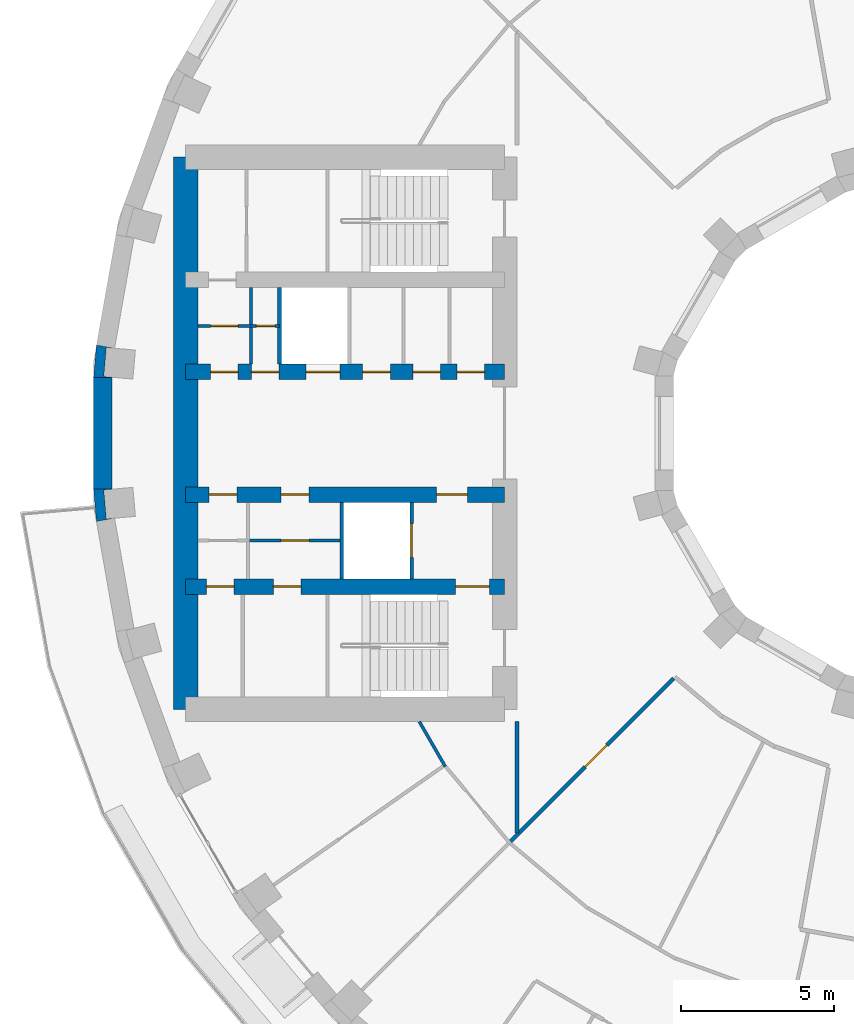
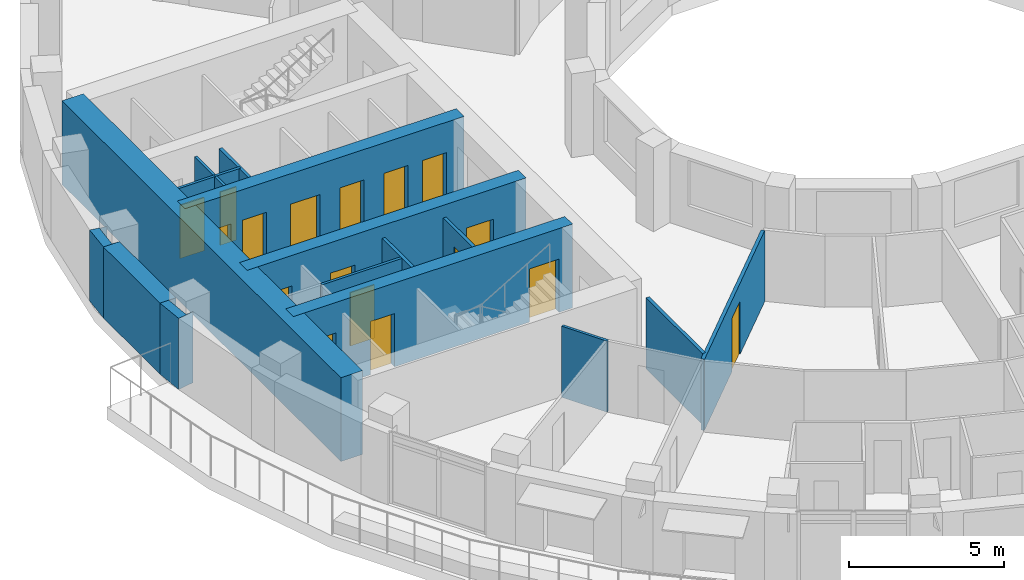
# One storey, part 6 of 16: 17 doors, 17 walls, 17 openings.
"""IFC4 building model written with IfcOpenShell, lengths in metres."""

from ifc_helpers import new_model, si_unit, direction, frame, frame_2d, origin, place, context, subcontext, project, spatial, polyline, rectangle, outline, extrude, material, layer, layer_set, type_object, element, fill, save


model = new_model("IFC4")

# Units and contexts
model_context = context("Model", 3, precision=1e-05, world=origin(), true_north=direction((0.0, 1.0)))
body_context = subcontext(model_context, "Body", "Model", "MODEL_VIEW")
ifc_project = project(units=[si_unit("LENGTHUNIT", "METRE"), si_unit("AREAUNIT", "SQUARE_METRE"), si_unit("VOLUMEUNIT", "CUBIC_METRE"), si_unit("PLANEANGLEUNIT", "RADIAN"), si_unit("MASSUNIT", "GRAM", prefix="KILO")], contexts=[model_context])

# Site, building, storey
site_placement = place(None, origin())
site = spatial("IfcSite", under=ifc_project, at=site_placement, CompositionType="ELEMENT")
building_placement = place(site_placement, origin())
building = spatial("IfcBuilding", under=site, at=building_placement, Name="Saqina Gate Tower", CompositionType="ELEMENT")
storey_placement = place(building_placement, frame((0.0, 0.0, 128.199951171875)))
storey = spatial("IfcBuildingStorey", under=building, at=storey_placement, Name="L36", CompositionType="ELEMENT", Elevation=128.199951171875)

# Walls
ifc_material_1 = material(Name="Brick masonry (buff)", Category="masonry")
wall_type_1 = type_object("IfcWallType", Name="BRICK PIER COPING BUFF", PredefinedType="SOLIDWALL", material=ifc_material_1)
wall_1_placement = place(storey_placement, origin())
element("IfcWall", 1, at=wall_1_placement, inside=storey, type_object=wall_type_1, Name="Pier cap L36 column 18", PredefinedType="SOLIDWALL", context=body_context, shape_type="SweptSolid", body=[
    extrude(outline(polyline([(-26.805419921875, 2.87451171875), (-26.897216796875, 1.823974609375), (-26.29736328125, 1.823974609375), (-26.565185546875, 1.847412109375), (-26.482421875, 2.793701171875), (-26.214599609375, 2.770263671875), (-26.805419921875, 2.87451171875)])), origin(), (0.0, 0.0, 1.0), 2.800048828125),
])
wall_2_placement = place(storey_placement, origin())
element("IfcWall", 2, at=wall_2_placement, inside=storey, type_object=wall_type_1, Name="Pier cap L36 column 19", PredefinedType="SOLIDWALL", context=body_context, shape_type="SweptSolid", body=[
    extrude(outline(polyline([(-26.805419921875, -2.87451171875), (-26.214599609375, -2.770263671875), (-26.482421875, -2.793701171875), (-26.565185546875, -1.847412109375), (-26.29736328125, -1.823974609375), (-26.897216796875, -1.823974609375), (-26.805419921875, -2.87451171875)])), origin(), (0.0, 0.0, 1.0), 2.800048828125),
])
ifc_material_2 = material(Name="Gypsum board on steel studs", Category="steel")
ifc_layer_1 = layer(ifc_material_2, 0.10009765625)
ifc_layer_set_1 = layer_set([ifc_layer_1], Name="CORE PARTITION")
wall_type_2 = type_object("IfcWallType", Name="CORE PARTITION", PredefinedType="PARTITIONING", material=ifc_layer_set_1)
wall_3_placement = place(storey_placement, frame((-21.77099609375, 2.25, 0.0), z_axis=(0.0, 0.0, 1.0), x_axis=(0.0, 1.0, 0.0)))
element("IfcWall", 3, at=wall_3_placement, inside=storey, type_object=wall_type_2, Name="L36-CP-W05", PredefinedType="PARTITIONING", context=body_context, shape_type="SweptSolid", body=[
    extrude(rectangle(XDim=2.5, YDim=0.10009765625, at=frame_2d((1.25, 0.0))), origin(), (0.0, 0.0, 1.0), 2.800048828125),
])

# Wall, opening, door
wall_4_placement = place(storey_placement, frame((-20.840087890625, 3.5, 0.0), z_axis=(0.0, 0.0, 1.0), x_axis=(-1.0, 0.0, 0.0)))
wall_4 = element("IfcWall", 4, at=wall_4_placement, inside=storey, type_object=wall_type_2, Name="L36-CP-W09", PredefinedType="PARTITIONING", context=body_context, shape_type="SweptSolid", body=[
    extrude(rectangle(XDim=0.930908203125, YDim=0.10009765625, at=frame_2d((0.46533203125, 0.0))), origin(), (0.0, 0.0, 1.0), 2.800048828125),
])
opening_1_placement = place(wall_4_placement, frame((0.14990234375, 0.0, 0.0)))
opening_1 = element("IfcOpeningElement", 5, at=opening_1_placement, cuts=wall_4, Name="Opening G10-D118", PredefinedType="OPENING", context=body_context, shape_type="SweptSolid", body=[
    extrude(rectangle(XDim=0.60009765625, YDim=2.10009765625, at=frame_2d((0.300048828125, 1.050048828125))), frame((0.0, 0.06201171875, 0.0), z_axis=(0.0, -1.0, 0.0), x_axis=(1.0, 0.0, 0.0)), (0.0, 0.0, 1.0), 0.1240234375),
])
ifc_material_3 = material(Name="Steel-framed fire door leaf, EI 60", Category="steel")
door_type_1 = type_object("IfcDoorType", Name="SERVICE ROOM DOOR 600", OperationType="SINGLE_SWING_LEFT", PredefinedType="DOOR", material=ifc_material_3)
door_1_placement = place(opening_1_placement, origin())
door_1 = element("IfcDoor", 6, at=door_1_placement, inside=storey, type_object=door_type_1, Name="L36-CD-W29", OperationType="SINGLE_SWING_LEFT", OverallHeight=2.10009765625, OverallWidth=0.60009765625, PredefinedType="DOOR", context=body_context, shape_type="SweptSolid", body=[
    extrude(rectangle(XDim=0.60009765625, YDim=2.10009765625, at=frame_2d((0.300048828125, 1.050048828125))), frame((0.0, 0.02490234375, 0.0), z_axis=(0.0, -1.0, 0.0), x_axis=(1.0, 0.0, 0.0)), (0.0, 0.0, 1.0), 0.050048828125),
])
fill(opening_1, door_1)

wall_5_placement = place(storey_placement, frame((-21.77099609375, 3.5, 0.0), z_axis=(0.0, 0.0, 1.0), x_axis=(-1.0, 0.0, 0.0)))
wall_5 = element("IfcWall", 7, at=wall_5_placement, inside=storey, type_object=wall_type_2, Name="L36-CP-W10", PredefinedType="PARTITIONING", context=body_context, shape_type="SweptSolid", body=[
    extrude(rectangle(XDim=1.72900390625, YDim=0.10009765625, at=frame_2d((0.864501953125, 0.0))), origin(), (0.0, 0.0, 1.0), 2.800048828125),
])
opening_2_placement = place(wall_5_placement, frame((0.41455078125, 0.0, 0.0)))
opening_2 = element("IfcOpeningElement", 8, at=opening_2_placement, cuts=wall_5, Name="Opening G10-D119", PredefinedType="OPENING", context=body_context, shape_type="SweptSolid", body=[
    extrude(rectangle(XDim=0.89990234375, YDim=2.10009765625, at=frame_2d((0.449951171875, 1.050048828125))), frame((0.0, 0.06201171875, 0.0), z_axis=(0.0, -1.0, 0.0), x_axis=(1.0, 0.0, 0.0)), (0.0, 0.0, 1.0), 0.1240234375),
])
ifc_material_4 = material(Name="Steel-framed fire door leaf, EI 60", Category="steel")
door_type_2 = type_object("IfcDoorType", Name="SERVICE ROOM DOOR 900", OperationType="SINGLE_SWING_LEFT", PredefinedType="DOOR", material=ifc_material_4)
door_2_placement = place(opening_2_placement, frame((0.89990234375, 0.0, 0.0), z_axis=(0.0, 0.0, 1.0), x_axis=(-1.0, 0.0, 0.0)))
door_2 = element("IfcDoor", 9, at=door_2_placement, inside=storey, type_object=door_type_2, Name="L36-CD-W30", OperationType="SINGLE_SWING_LEFT", OverallHeight=2.10009765625, OverallWidth=0.89990234375, PredefinedType="DOOR", context=body_context, shape_type="SweptSolid", body=[
    extrude(rectangle(XDim=0.89990234375, YDim=2.10009765625, at=frame_2d((0.449951171875, 1.050048828125))), frame((0.0, 0.02490234375, 0.0), z_axis=(0.0, -1.0, 0.0), x_axis=(1.0, 0.0, 0.0)), (0.0, 0.0, 1.0), 0.050048828125),
])
fill(opening_2, door_2)

wall_6_placement = place(storey_placement, frame((-18.81005859375, -3.5, 0.0), z_axis=(0.0, 0.0, 1.0), x_axis=(-1.0, 0.0, 0.0)))
wall_6 = element("IfcWall", 10, at=wall_6_placement, inside=storey, type_object=wall_type_2, Name="L36-CP-W11", PredefinedType="PARTITIONING", context=body_context, shape_type="SweptSolid", body=[
    extrude(rectangle(XDim=3.04833984375, YDim=0.10009765625, at=frame_2d((1.524169921875, 0.0))), origin(), (0.0, 0.0, 1.0), 2.800048828125),
])
opening_3_placement = place(wall_6_placement, frame((1.07421875, 0.0, 0.0)))
opening_3 = element("IfcOpeningElement", 11, at=opening_3_placement, cuts=wall_6, Name="Opening G10-D123", PredefinedType="OPENING", context=body_context, shape_type="SweptSolid", body=[
    extrude(rectangle(XDim=0.89990234375, YDim=2.10009765625, at=frame_2d((0.449951171875, 1.050048828125))), frame((0.0, 0.06201171875, 0.0), z_axis=(0.0, -1.0, 0.0), x_axis=(1.0, 0.0, 0.0)), (0.0, 0.0, 1.0), 0.1240234375),
])
door_3_placement = place(opening_3_placement, origin())
door_3 = element("IfcDoor", 12, at=door_3_placement, inside=storey, type_object=door_type_2, Name="L36-CD-W34", OperationType="SINGLE_SWING_LEFT", OverallHeight=2.10009765625, OverallWidth=0.89990234375, PredefinedType="DOOR", context=body_context, shape_type="SweptSolid", body=[
    extrude(rectangle(XDim=0.89990234375, YDim=2.10009765625, at=frame_2d((0.449951171875, 1.050048828125))), frame((0.0, 0.02490234375, 0.0), z_axis=(0.0, -1.0, 0.0), x_axis=(1.0, 0.0, 0.0)), (0.0, 0.0, 1.0), 0.050048828125),
])
fill(opening_3, door_3)

# Walls
ifc_material_5 = material(Name="Glazed ceramic tile (dark blue)", Category="ceramic")
ifc_layer_2 = layer(ifc_material_5, 0.60009765625)
ifc_layer_set_2 = layer_set([ifc_layer_2], Name="FW-TILE-CB")
wall_type_3 = type_object("IfcWallType", Name="FW-TILE-CB", PredefinedType="SOLIDWALL", material=ifc_layer_set_2)
wall_7_placement = place(storey_placement, frame((-26.59716796875, 1.823974609375, 0.0), z_axis=(0.0, 0.0, 1.0), x_axis=(0.0, -1.0, 0.0)))
element("IfcWall", 13, at=wall_7_placement, inside=storey, type_object=wall_type_3, Name="Facade wall L36 facet 18", PredefinedType="SOLIDWALL", context=body_context, shape_type="SweptSolid", body=[
    extrude(rectangle(XDim=3.64794921875, YDim=0.60009765625, at=frame_2d((1.823974609375, 0.0))), origin(), (0.0, 0.0, 1.0), 2.800048828125),
])
ifc_material_6 = material(Name="Gypsum board on steel studs, 100 mm", Category="steel")
ifc_layer_3 = layer(ifc_material_6, 0.10009765625)
ifc_layer_set_3 = layer_set([ifc_layer_3], Name="PARTITION 100")
wall_type_4 = type_object("IfcWallType", Name="PARTITION 100", PredefinedType="PARTITIONING", material=ifc_layer_set_3)
wall_8_placement = place(storey_placement, frame((-16.281005859375, -9.39794921875, 0.0), z_axis=(0.0, 0.0, 1.0), x_axis=(0.499867730161, -0.866101756345, 0.0)))
element("IfcWall", 14, at=wall_8_placement, inside=storey, type_object=wall_type_4, Name="PARTITION PW3-14", PredefinedType="PARTITIONING", context=body_context, shape_type="SweptSolid", body=[
    extrude(rectangle(XDim=1.697265625, YDim=0.10009765625, at=frame_2d((0.8486328125, 0.0))), origin(), (0.0, 0.0, 1.0), 2.800048828125),
])

# Wall, opening, door
ifc_material_7 = material(Name="Gypsum board on steel studs, 125 mm, fire rated", Category="steel")
ifc_layer_4 = layer(ifc_material_7, 0.125)
ifc_layer_set_4 = layer_set([ifc_layer_4], Name="PARTITION EI 30 125")
wall_type_5 = type_object("IfcWallType", Name="PARTITION EI 30 125", PredefinedType="PARTITIONING", material=ifc_layer_set_4)
wall_9_placement = place(storey_placement, frame((-13.30859375, -13.30859375, 0.0), z_axis=(0.0, 0.0, 1.0), x_axis=(0.707106781187, 0.707106781187, 0.0)))
wall_9 = element("IfcWall", 15, at=wall_9_placement, inside=storey, type_object=wall_type_5, Name="PARTITION PW1-47", PredefinedType="PARTITIONING", context=body_context, shape_type="SweptSolid", body=[
    extrude(rectangle(XDim=7.515869140625, YDim=0.125, at=frame_2d((3.7578125, 0.0))), origin(), (0.0, 0.0, 1.0), 2.800048828125),
])
opening_4_placement = place(wall_9_placement, frame((3.44140625, 0.0, 0.0)))
opening_4 = element("IfcOpeningElement", 16, at=opening_4_placement, cuts=wall_9, Name="Opening G10-D31", PredefinedType="OPENING", context=body_context, shape_type="SweptSolid", body=[
    extrude(rectangle(XDim=1.0, YDim=2.10009765625, at=frame_2d((0.5, 1.050048828125))), frame((0.0, 0.074462890625, 0.0), z_axis=(0.0, -1.0, 0.0), x_axis=(1.0, 0.0, 0.0)), (0.0, 0.0, 1.0), 0.14892578125),
])
ifc_material_8 = material(Name="Fire door leaf EI 30, 1000 mm")
door_type_3 = type_object("IfcDoorType", Name="DOOR 1000 EI 30", OperationType="SINGLE_SWING_LEFT", PredefinedType="DOOR", material=ifc_material_8)
door_4_placement = place(opening_4_placement, frame((1.0, 0.0, 0.0), z_axis=(0.0, 0.0, 1.0), x_axis=(-1.0, 0.0, 0.0)))
door_4 = element("IfcDoor", 17, at=door_4_placement, inside=storey, type_object=door_type_3, Name="DOOR G10-D31", OperationType="SINGLE_SWING_LEFT", OverallHeight=2.10009765625, OverallWidth=1.0, PredefinedType="DOOR", context=body_context, shape_type="SweptSolid", body=[
    extrude(rectangle(XDim=1.0, YDim=2.10009765625, at=frame_2d((0.5, 1.050048828125))), frame((0.0, 0.02490234375, 0.0), z_axis=(0.0, -1.0, 0.0), x_axis=(1.0, 0.0, 0.0)), (0.0, 0.0, 1.0), 0.050048828125),
])
fill(opening_4, door_4)

# Walls
wall_10_placement = place(storey_placement, frame((-13.10009765625, -13.03759765625, 0.0), z_axis=(0.0, 0.0, 1.0), x_axis=(0.0, 1.0, 0.0)))
element("IfcWall", 18, at=wall_10_placement, inside=storey, type_object=wall_type_5, Name="PARTITION PW1-60", PredefinedType="PARTITIONING", context=body_context, shape_type="SweptSolid", body=[
    extrude(rectangle(XDim=3.6376953125, YDim=0.125, at=frame_2d((1.81884765625, 0.0))), origin(), (0.0, 0.0, 1.0), 2.800048828125),
])
ifc_material_9 = material(Name="Autoclaved aerated concrete block", Category="concrete")
ifc_layer_5 = layer(ifc_material_9, 0.1201171875)
ifc_layer_set_5 = layer_set([ifc_layer_5], Name="SHAFT PARTITION")
wall_type_6 = type_object("IfcWallType", Name="SHAFT PARTITION", PredefinedType="PARTITIONING", material=ifc_layer_set_5)
wall_11_placement = place(storey_placement, frame((-20.840087890625, 2.25, 0.0), z_axis=(0.0, 0.0, 1.0), x_axis=(0.0, 1.0, 0.0)))
element("IfcWall", 19, at=wall_11_placement, inside=storey, type_object=wall_type_6, Name="L36-CP-W04", PredefinedType="PARTITIONING", context=body_context, shape_type="SweptSolid", body=[
    extrude(rectangle(XDim=2.5, YDim=0.1201171875, at=frame_2d((1.25, 0.0))), origin(), (0.0, 0.0, 1.0), 2.800048828125),
])

# Wall, opening, door
wall_12_placement = place(storey_placement, frame((-16.530029296875, -4.75, 0.0), z_axis=(0.0, 0.0, 1.0), x_axis=(0.0, 1.0, 0.0)))
wall_12 = element("IfcWall", 20, at=wall_12_placement, inside=storey, type_object=wall_type_6, Name="L36-CP-W06", PredefinedType="PARTITIONING", context=body_context, shape_type="SweptSolid", body=[
    extrude(rectangle(XDim=2.5, YDim=0.1201171875, at=frame_2d((1.25, 0.0))), origin(), (0.0, 0.0, 1.0), 2.800048828125),
])
opening_5_placement = place(wall_12_placement, frame((0.699951171875, 0.0, 0.0)))
opening_5 = element("IfcOpeningElement", 21, at=opening_5_placement, cuts=wall_12, Name="Opening G10-LD4", PredefinedType="OPENING", context=body_context, shape_type="SweptSolid", body=[
    extrude(rectangle(XDim=1.10009765625, YDim=2.10009765625, at=frame_2d((0.550048828125, 1.050048828125))), frame((0.0, 0.072021484375, 0.0), z_axis=(0.0, -1.0, 0.0), x_axis=(1.0, 0.0, 0.0)), (0.0, 0.0, 1.0), 0.14404296875),
])
ifc_material_10 = material(Name="Stainless steel", Category="steel")
door_type_4 = type_object("IfcDoorType", Name="LANDING DOOR", OperationType="DOUBLE_DOOR_SLIDING", PredefinedType="DOOR", material=ifc_material_10)
door_5_placement = place(opening_5_placement, origin())
door_5 = element("IfcDoor", 22, at=door_5_placement, inside=storey, type_object=door_type_4, Name="LANDING DOOR FF2", OperationType="DOUBLE_DOOR_SLIDING", OverallHeight=2.10009765625, OverallWidth=1.10009765625, PredefinedType="DOOR", context=body_context, shape_type="SweptSolid", body=[
    extrude(rectangle(XDim=1.10009765625, YDim=2.10009765625, at=frame_2d((0.550048828125, 1.050048828125))), frame((0.0, 0.02490234375, 0.0), z_axis=(0.0, -1.0, 0.0), x_axis=(1.0, 0.0, 0.0)), (0.0, 0.0, 1.0), 0.050048828125),
])
fill(opening_5, door_5)

# Wall
wall_13_placement = place(storey_placement, frame((-18.81005859375, -4.75, 0.0), z_axis=(0.0, 0.0, 1.0), x_axis=(0.0, 1.0, 0.0)))
element("IfcWall", 23, at=wall_13_placement, inside=storey, type_object=wall_type_6, Name="L36-CP-W07", PredefinedType="PARTITIONING", context=body_context, shape_type="SweptSolid", body=[
    extrude(rectangle(XDim=2.5, YDim=0.1201171875, at=frame_2d((1.25, 0.0))), origin(), (0.0, 0.0, 1.0), 2.800048828125),
])

# Wall, openings, doors
ifc_material_11 = material(Name="Concrete C70/85", Category="concrete")
ifc_layer_6 = layer(ifc_material_11, 0.5)
ifc_layer_set_6 = layer_set([ifc_layer_6], Name="Concrete C70/85")
wall_type_7 = type_object("IfcWallType", Name="STR-CORE WALL-B-I", PredefinedType="SHEAR", material=ifc_layer_set_6)
wall_14_placement = place(storey_placement, frame((-13.5, -5.0, 0.0), z_axis=(0.0, 0.0, 1.0), x_axis=(-1.0, 0.0, 0.0)))
wall_14 = element("IfcWall", 24, at=wall_14_placement, inside=storey, type_object=wall_type_7, Name="CORE WALL L36 W-X2", PredefinedType="SHEAR", context=body_context, shape_type="SweptSolid", body=[
    extrude(rectangle(XDim=10.39990234375, YDim=0.5, at=frame_2d((5.199951171875, 0.0))), origin(), (0.0, 0.0, 1.0), 3.300048828125),
])
opening_6_placement = place(wall_14_placement, frame((6.63916015625, 0.0, 0.0)))
opening_6 = element("IfcOpeningElement", 25, at=opening_6_placement, cuts=wall_14, Name="Opening G10-D124", PredefinedType="OPENING", context=body_context, shape_type="SweptSolid", body=[
    extrude(rectangle(XDim=0.89990234375, YDim=2.10009765625, at=frame_2d((0.449951171875, 1.050048828125))), frame((0.0, 0.261962890625, 0.0), z_axis=(0.0, -1.0, 0.0), x_axis=(1.0, 0.0, 0.0)), (0.0, 0.0, 1.0), 0.52392578125),
])
opening_7_placement = place(wall_14_placement, frame((8.818603515625, 0.0, 0.0)))
opening_7 = element("IfcOpeningElement", 26, at=opening_7_placement, cuts=wall_14, Name="Opening G10-D125", PredefinedType="OPENING", context=body_context, shape_type="SweptSolid", body=[
    extrude(rectangle(XDim=0.89990234375, YDim=2.10009765625, at=frame_2d((0.449951171875, 1.050048828125))), frame((0.0, 0.261962890625, 0.0), z_axis=(0.0, -1.0, 0.0), x_axis=(1.0, 0.0, 0.0)), (0.0, 0.0, 1.0), 0.52392578125),
])
opening_8_placement = place(wall_14_placement, frame((0.5, 0.0, 0.0)))
opening_8 = element("IfcOpeningElement", 27, at=opening_8_placement, cuts=wall_14, Name="Opening G10-D126", PredefinedType="OPENING", context=body_context, shape_type="SweptSolid", body=[
    extrude(rectangle(XDim=1.10009765625, YDim=2.10009765625, at=frame_2d((0.550048828125, 1.050048828125))), frame((0.0, 0.261962890625, 0.0), z_axis=(0.0, -1.0, 0.0), x_axis=(1.0, 0.0, 0.0)), (0.0, 0.0, 1.0), 0.52392578125),
])
ifc_material_12 = material(Name="Steel", Category="steel")
door_type_5 = type_object("IfcDoorType", Name="FIRE LOBBY DOOR EI 60 WIDE", OperationType="SINGLE_SWING_LEFT", PredefinedType="DOOR", material=ifc_material_12)
door_6_placement = place(opening_8_placement, origin())
door_6 = element("IfcDoor", 28, at=door_6_placement, inside=storey, type_object=door_type_5, Name="L36-CD-W37", OperationType="SINGLE_SWING_LEFT", OverallHeight=2.10009765625, OverallWidth=1.10009765625, PredefinedType="DOOR", context=body_context, shape_type="SweptSolid", body=[
    extrude(rectangle(XDim=1.10009765625, YDim=2.10009765625, at=frame_2d((0.550048828125, 1.050048828125))), frame((0.0, 0.02490234375, 0.0), z_axis=(0.0, -1.0, 0.0), x_axis=(1.0, 0.0, 0.0)), (0.0, 0.0, 1.0), 0.050048828125),
])
fill(opening_8, door_6)
door_7_placement = place(opening_6_placement, origin())
door_7 = element("IfcDoor", 29, at=door_7_placement, inside=storey, type_object=door_type_2, Name="L36-CD-W35", OperationType="SINGLE_SWING_RIGHT", OverallHeight=2.10009765625, OverallWidth=0.89990234375, PredefinedType="DOOR", context=body_context, shape_type="SweptSolid", body=[
    extrude(rectangle(XDim=0.89990234375, YDim=2.10009765625, at=frame_2d((0.449951171875, 1.050048828125))), frame((0.0, 0.02490234375, 0.0), z_axis=(0.0, -1.0, 0.0), x_axis=(1.0, 0.0, 0.0)), (0.0, 0.0, 1.0), 0.050048828125),
])
fill(opening_6, door_7)
door_8_placement = place(opening_7_placement, origin())
door_8 = element("IfcDoor", 30, at=door_8_placement, inside=storey, type_object=door_type_2, Name="L36-CD-W36", OperationType="SINGLE_SWING_RIGHT", OverallHeight=2.10009765625, OverallWidth=0.89990234375, PredefinedType="DOOR", context=body_context, shape_type="SweptSolid", body=[
    extrude(rectangle(XDim=0.89990234375, YDim=2.10009765625, at=frame_2d((0.449951171875, 1.050048828125))), frame((0.0, 0.02490234375, 0.0), z_axis=(0.0, -1.0, 0.0), x_axis=(1.0, 0.0, 0.0)), (0.0, 0.0, 1.0), 0.050048828125),
])
fill(opening_7, door_8)

wall_15_placement = place(storey_placement, frame((-13.5, 2.0, 0.0), z_axis=(0.0, 0.0, 1.0), x_axis=(-1.0, 0.0, 0.0)))
wall_15 = element("IfcWall", 31, at=wall_15_placement, inside=storey, type_object=wall_type_7, Name="CORE WALL L36 W-L1", PredefinedType="SHEAR", context=body_context, shape_type="SweptSolid", body=[
    extrude(rectangle(XDim=10.39990234375, YDim=0.5, at=frame_2d((5.199951171875, 0.0))), origin(), (0.0, 0.0, 1.0), 3.300048828125),
])
opening_9_placement = place(wall_15_placement, frame((5.3701171875, 0.0, 0.0)))
opening_9 = element("IfcOpeningElement", 32, at=opening_9_placement, cuts=wall_15, Name="Opening G10-LD3", PredefinedType="OPENING", context=body_context, shape_type="SweptSolid", body=[
    extrude(rectangle(XDim=1.10009765625, YDim=2.10009765625, at=frame_2d((0.550048828125, 1.050048828125))), frame((0.0, 0.261962890625, 0.0), z_axis=(0.0, -1.0, 0.0), x_axis=(1.0, 0.0, 0.0)), (0.0, 0.0, 1.0), 0.52392578125),
])
opening_10_placement = place(wall_15_placement, frame((0.64892578125, 0.0, 0.0)))
opening_10 = element("IfcOpeningElement", 33, at=opening_10_placement, cuts=wall_15, Name="Opening G10-D110", PredefinedType="OPENING", context=body_context, shape_type="SweptSolid", body=[
    extrude(rectangle(XDim=0.89990234375, YDim=2.10009765625, at=frame_2d((0.449951171875, 1.050048828125))), frame((0.0, 0.261962890625, 0.0), z_axis=(0.0, -1.0, 0.0), x_axis=(1.0, 0.0, 0.0)), (0.0, 0.0, 1.0), 0.52392578125),
])
opening_11_placement = place(wall_15_placement, frame((2.093505859375, 0.0, 0.0)))
opening_11 = element("IfcOpeningElement", 34, at=opening_11_placement, cuts=wall_15, Name="Opening G10-D111", PredefinedType="OPENING", context=body_context, shape_type="SweptSolid", body=[
    extrude(rectangle(XDim=0.89990234375, YDim=2.10009765625, at=frame_2d((0.449951171875, 1.050048828125))), frame((0.0, 0.261962890625, 0.0), z_axis=(0.0, -1.0, 0.0), x_axis=(1.0, 0.0, 0.0)), (0.0, 0.0, 1.0), 0.52392578125),
])
opening_12_placement = place(wall_15_placement, frame((3.724609375, 0.0, 0.0)))
opening_12 = element("IfcOpeningElement", 35, at=opening_12_placement, cuts=wall_15, Name="Opening G10-D112", PredefinedType="OPENING", context=body_context, shape_type="SweptSolid", body=[
    extrude(rectangle(XDim=0.89990234375, YDim=2.10009765625, at=frame_2d((0.449951171875, 1.050048828125))), frame((0.0, 0.261962890625, 0.0), z_axis=(0.0, -1.0, 0.0), x_axis=(1.0, 0.0, 0.0)), (0.0, 0.0, 1.0), 0.52392578125),
])
opening_13_placement = place(wall_15_placement, frame((7.35546875, 0.0, 0.0)))
opening_13 = element("IfcOpeningElement", 36, at=opening_13_placement, cuts=wall_15, Name="Opening G10-D113", PredefinedType="OPENING", context=body_context, shape_type="SweptSolid", body=[
    extrude(rectangle(XDim=0.89990234375, YDim=2.10009765625, at=frame_2d((0.449951171875, 1.050048828125))), frame((0.0, 0.261962890625, 0.0), z_axis=(0.0, -1.0, 0.0), x_axis=(1.0, 0.0, 0.0)), (0.0, 0.0, 1.0), 0.52392578125),
])
opening_14_placement = place(wall_15_placement, frame((8.685546875, 0.0, 0.0)))
opening_14 = element("IfcOpeningElement", 37, at=opening_14_placement, cuts=wall_15, Name="Opening G10-D114", PredefinedType="OPENING", context=body_context, shape_type="SweptSolid", body=[
    extrude(rectangle(XDim=0.89990234375, YDim=2.10009765625, at=frame_2d((0.449951171875, 1.050048828125))), frame((0.0, 0.261962890625, 0.0), z_axis=(0.0, -1.0, 0.0), x_axis=(1.0, 0.0, 0.0)), (0.0, 0.0, 1.0), 0.52392578125),
])
door_9_placement = place(opening_9_placement, origin())
door_9 = element("IfcDoor", 38, at=door_9_placement, inside=storey, type_object=door_type_4, Name="LANDING DOOR MR2", OperationType="DOUBLE_DOOR_SLIDING", OverallHeight=2.10009765625, OverallWidth=1.10009765625, PredefinedType="DOOR", context=body_context, shape_type="SweptSolid", body=[
    extrude(rectangle(XDim=1.10009765625, YDim=2.10009765625, at=frame_2d((0.550048828125, 1.050048828125))), frame((0.0, 0.02490234375, 0.0), z_axis=(0.0, -1.0, 0.0), x_axis=(1.0, 0.0, 0.0)), (0.0, 0.0, 1.0), 0.050048828125),
])
fill(opening_9, door_9)
door_10_placement = place(opening_10_placement, frame((0.89990234375, 0.0, 0.0), z_axis=(0.0, 0.0, 1.0), x_axis=(-1.0, 0.0, 0.0)))
door_10 = element("IfcDoor", 39, at=door_10_placement, inside=storey, type_object=door_type_2, Name="L36-CD-W21", OperationType="SINGLE_SWING_RIGHT", OverallHeight=2.10009765625, OverallWidth=0.89990234375, PredefinedType="DOOR", context=body_context, shape_type="SweptSolid", body=[
    extrude(rectangle(XDim=0.89990234375, YDim=2.10009765625, at=frame_2d((0.449951171875, 1.050048828125))), frame((0.0, 0.02490234375, 0.0), z_axis=(0.0, -1.0, 0.0), x_axis=(1.0, 0.0, 0.0)), (0.0, 0.0, 1.0), 0.050048828125),
])
fill(opening_10, door_10)
door_11_placement = place(opening_11_placement, frame((0.89990234375, 0.0, 0.0), z_axis=(0.0, 0.0, 1.0), x_axis=(-1.0, 0.0, 0.0)))
door_11 = element("IfcDoor", 40, at=door_11_placement, inside=storey, type_object=door_type_2, Name="L36-CD-W22", OperationType="SINGLE_SWING_RIGHT", OverallHeight=2.10009765625, OverallWidth=0.89990234375, PredefinedType="DOOR", context=body_context, shape_type="SweptSolid", body=[
    extrude(rectangle(XDim=0.89990234375, YDim=2.10009765625, at=frame_2d((0.449951171875, 1.050048828125))), frame((0.0, 0.02490234375, 0.0), z_axis=(0.0, -1.0, 0.0), x_axis=(1.0, 0.0, 0.0)), (0.0, 0.0, 1.0), 0.050048828125),
])
fill(opening_11, door_11)
door_12_placement = place(opening_12_placement, frame((0.89990234375, 0.0, 0.0), z_axis=(0.0, 0.0, 1.0), x_axis=(-1.0, 0.0, 0.0)))
door_12 = element("IfcDoor", 41, at=door_12_placement, inside=storey, type_object=door_type_2, Name="L36-CD-W23", OperationType="SINGLE_SWING_LEFT", OverallHeight=2.10009765625, OverallWidth=0.89990234375, PredefinedType="DOOR", context=body_context, shape_type="SweptSolid", body=[
    extrude(rectangle(XDim=0.89990234375, YDim=2.10009765625, at=frame_2d((0.449951171875, 1.050048828125))), frame((0.0, 0.02490234375, 0.0), z_axis=(0.0, -1.0, 0.0), x_axis=(1.0, 0.0, 0.0)), (0.0, 0.0, 1.0), 0.050048828125),
])
fill(opening_12, door_12)
door_13_placement = place(opening_13_placement, frame((0.89990234375, 0.0, 0.0), z_axis=(0.0, 0.0, 1.0), x_axis=(-1.0, 0.0, 0.0)))
door_13 = element("IfcDoor", 42, at=door_13_placement, inside=storey, type_object=door_type_2, Name="L36-CD-W24", OperationType="SINGLE_SWING_RIGHT", OverallHeight=2.10009765625, OverallWidth=0.89990234375, PredefinedType="DOOR", context=body_context, shape_type="SweptSolid", body=[
    extrude(rectangle(XDim=0.89990234375, YDim=2.10009765625, at=frame_2d((0.449951171875, 1.050048828125))), frame((0.0, 0.02490234375, 0.0), z_axis=(0.0, -1.0, 0.0), x_axis=(1.0, 0.0, 0.0)), (0.0, 0.0, 1.0), 0.050048828125),
])
fill(opening_13, door_13)
door_14_placement = place(opening_14_placement, frame((0.89990234375, 0.0, 0.0), z_axis=(0.0, 0.0, 1.0), x_axis=(-1.0, 0.0, 0.0)))
door_14 = element("IfcDoor", 43, at=door_14_placement, inside=storey, type_object=door_type_2, Name="L36-CD-W25", OperationType="SINGLE_SWING_LEFT", OverallHeight=2.10009765625, OverallWidth=0.89990234375, PredefinedType="DOOR", context=body_context, shape_type="SweptSolid", body=[
    extrude(rectangle(XDim=0.89990234375, YDim=2.10009765625, at=frame_2d((0.449951171875, 1.050048828125))), frame((0.0, 0.02490234375, 0.0), z_axis=(0.0, -1.0, 0.0), x_axis=(1.0, 0.0, 0.0)), (0.0, 0.0, 1.0), 0.050048828125),
])
fill(opening_14, door_14)

wall_16_placement = place(storey_placement, frame((-13.5, -2.0, 0.0), z_axis=(0.0, 0.0, 1.0), x_axis=(-1.0, 0.0, 0.0)))
wall_16 = element("IfcWall", 44, at=wall_16_placement, inside=storey, type_object=wall_type_7, Name="CORE WALL L36 W-L2", PredefinedType="SHEAR", context=body_context, shape_type="SweptSolid", body=[
    extrude(rectangle(XDim=10.39990234375, YDim=0.5, at=frame_2d((5.199951171875, 0.0))), origin(), (0.0, 0.0, 1.0), 3.300048828125),
])
opening_15_placement = place(wall_16_placement, frame((1.215087890625, 0.0, 0.0)))
opening_15 = element("IfcOpeningElement", 45, at=opening_15_placement, cuts=wall_16, Name="Opening G10-D115", PredefinedType="OPENING", context=body_context, shape_type="SweptSolid", body=[
    extrude(rectangle(XDim=1.0, YDim=2.10009765625, at=frame_2d((0.5, 1.050048828125))), frame((0.0, 0.261962890625, 0.0), z_axis=(0.0, -1.0, 0.0), x_axis=(1.0, 0.0, 0.0)), (0.0, 0.0, 1.0), 0.52392578125),
])
opening_16_placement = place(wall_16_placement, frame((6.38427734375, 0.0, 0.0)))
opening_16 = element("IfcOpeningElement", 46, at=opening_16_placement, cuts=wall_16, Name="Opening G10-D116", PredefinedType="OPENING", context=body_context, shape_type="SweptSolid", body=[
    extrude(rectangle(XDim=0.89990234375, YDim=2.10009765625, at=frame_2d((0.449951171875, 1.050048828125))), frame((0.0, 0.261962890625, 0.0), z_axis=(0.0, -1.0, 0.0), x_axis=(1.0, 0.0, 0.0)), (0.0, 0.0, 1.0), 0.52392578125),
])
opening_17_placement = place(wall_16_placement, frame((8.729248046875, 0.0, 0.0)))
opening_17 = element("IfcOpeningElement", 47, at=opening_17_placement, cuts=wall_16, Name="Opening G10-D117", PredefinedType="OPENING", context=body_context, shape_type="SweptSolid", body=[
    extrude(rectangle(XDim=0.89990234375, YDim=2.10009765625, at=frame_2d((0.449951171875, 1.050048828125))), frame((0.0, 0.261962890625, 0.0), z_axis=(0.0, -1.0, 0.0), x_axis=(1.0, 0.0, 0.0)), (0.0, 0.0, 1.0), 0.52392578125),
])
ifc_material_13 = material(Name="Steel", Category="steel")
door_type_6 = type_object("IfcDoorType", Name="FIRE LOBBY DOOR EI 60", OperationType="SINGLE_SWING_LEFT", PredefinedType="DOOR", material=ifc_material_13)
door_15_placement = place(opening_15_placement, frame((1.0, 0.0, 0.0), z_axis=(0.0, 0.0, 1.0), x_axis=(-1.0, 0.0, 0.0)))
door_15 = element("IfcDoor", 48, at=door_15_placement, inside=storey, type_object=door_type_6, Name="L36-CD-W26", OperationType="SINGLE_SWING_RIGHT", OverallHeight=2.10009765625, OverallWidth=1.0, PredefinedType="DOOR", context=body_context, shape_type="SweptSolid", body=[
    extrude(rectangle(XDim=1.0, YDim=2.10009765625, at=frame_2d((0.5, 1.050048828125))), frame((0.0, 0.02490234375, 0.0), z_axis=(0.0, -1.0, 0.0), x_axis=(1.0, 0.0, 0.0)), (0.0, 0.0, 1.0), 0.050048828125),
])
fill(opening_15, door_15)
door_16_placement = place(opening_16_placement, origin())
door_16 = element("IfcDoor", 49, at=door_16_placement, inside=storey, type_object=door_type_2, Name="L36-CD-W27", OperationType="SINGLE_SWING_RIGHT", OverallHeight=2.10009765625, OverallWidth=0.89990234375, PredefinedType="DOOR", context=body_context, shape_type="SweptSolid", body=[
    extrude(rectangle(XDim=0.89990234375, YDim=2.10009765625, at=frame_2d((0.449951171875, 1.050048828125))), frame((0.0, 0.02490234375, 0.0), z_axis=(0.0, -1.0, 0.0), x_axis=(1.0, 0.0, 0.0)), (0.0, 0.0, 1.0), 0.050048828125),
])
fill(opening_16, door_16)
door_17_placement = place(opening_17_placement, origin())
door_17 = element("IfcDoor", 50, at=door_17_placement, inside=storey, type_object=door_type_2, Name="L36-CD-W28", OperationType="SINGLE_SWING_RIGHT", OverallHeight=2.10009765625, OverallWidth=0.89990234375, PredefinedType="DOOR", context=body_context, shape_type="SweptSolid", body=[
    extrude(rectangle(XDim=0.89990234375, YDim=2.10009765625, at=frame_2d((0.449951171875, 1.050048828125))), frame((0.0, 0.02490234375, 0.0), z_axis=(0.0, -1.0, 0.0), x_axis=(1.0, 0.0, 0.0)), (0.0, 0.0, 1.0), 0.050048828125),
])
fill(opening_17, door_17)

# Wall
ifc_material_14 = material(Name="Concrete C70/85", Category="concrete")
ifc_layer_7 = layer(ifc_material_14, 0.800048828125)
ifc_layer_set_7 = layer_set([ifc_layer_7], Name="Concrete C70/85")
wall_type_8 = type_object("IfcWallType", Name="STR-CORE WALL-B-O", PredefinedType="SHEAR", material=ifc_layer_set_7)
wall_17_placement = place(storey_placement, frame((-23.89990234375, -9.0, 0.0), z_axis=(0.0, 0.0, 1.0), x_axis=(0.0, 1.0, 0.0)))
element("IfcWall", 51, at=wall_17_placement, inside=storey, type_object=wall_type_8, Name="CORE WALL L36 W-W2", PredefinedType="SHEAR", context=body_context, shape_type="SweptSolid", body=[
    extrude(rectangle(XDim=18.0, YDim=0.800048828125, at=frame_2d((9.0, 0.0))), origin(), (0.0, 0.0, 1.0), 3.300048828125),
])

save(model, "model.ifc")
